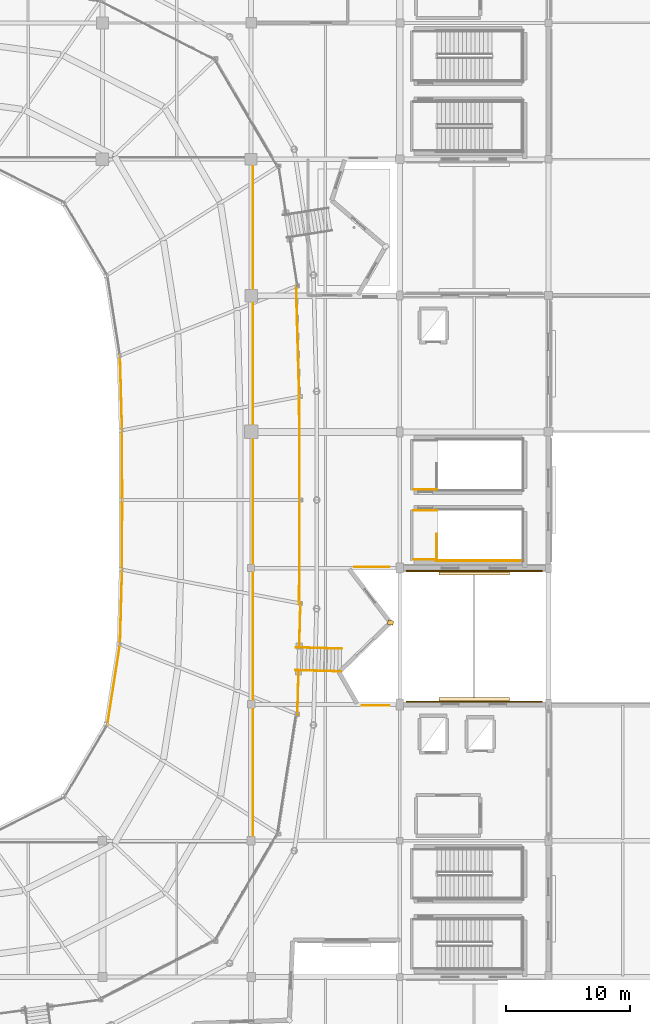
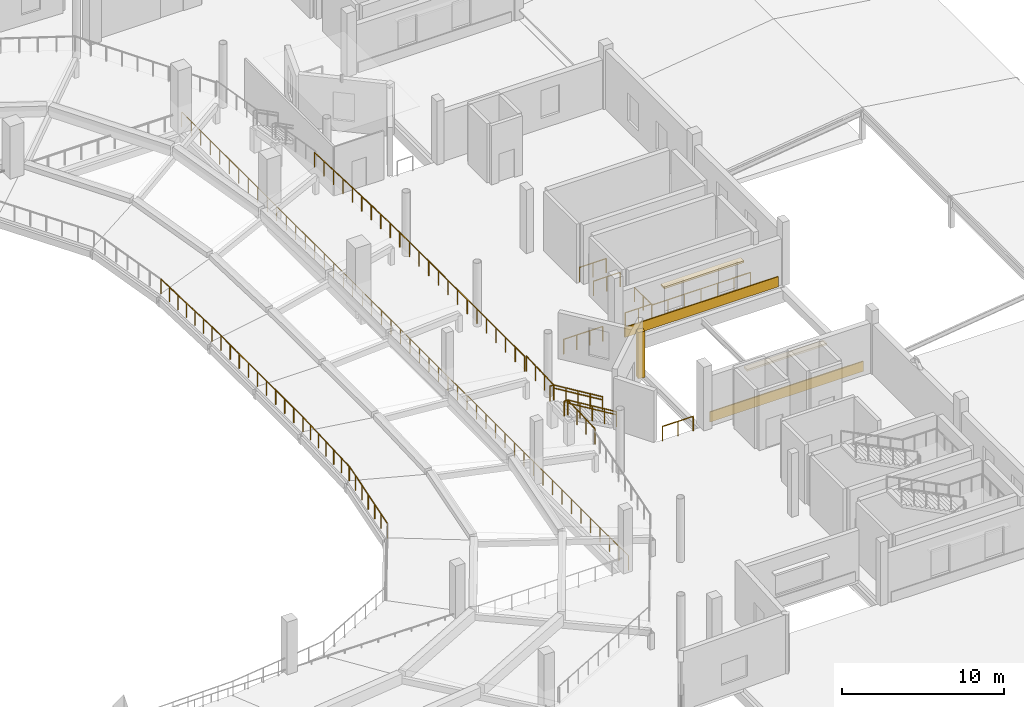
# One storey, part 74 of 77: 22 railings, 5 coverings.
"""IFC4 building model written with IfcOpenShell, lengths in metres."""

from ifc_helpers import new_model, si_unit, direction, frame, origin, origin_2d, place, context, subcontext, project, spatial, rectangle, circle, extrude, material, layer, layer_set, type_object, element, save


model = new_model("IFC4")

# Units and contexts
model_context = context("Model", 3, precision=1e-05, world=origin(), true_north=direction((0.0, 1.0)))
body_context = subcontext(model_context, "Body", "Model", "MODEL_VIEW")
ifc_project = project(units=[si_unit("LENGTHUNIT", "METRE"), si_unit("AREAUNIT", "SQUARE_METRE"), si_unit("VOLUMEUNIT", "CUBIC_METRE"), si_unit("PLANEANGLEUNIT", "RADIAN"), si_unit("MASSUNIT", "GRAM", prefix="KILO")], contexts=[model_context])

# Site, building, storey
site_placement = place(None, origin())
site = spatial("IfcSite", under=ifc_project, at=site_placement, CompositionType="ELEMENT")
building_placement = place(site_placement, origin())
building = spatial("IfcBuilding", under=site, at=building_placement, Name="Luwafu Chhajja Arena", CompositionType="ELEMENT")
storey_placement = place(building_placement, frame((0.0, 0.0, 14.699951171875)))
storey = spatial("IfcBuildingStorey", under=building, at=storey_placement, Name="L03", CompositionType="ELEMENT", Elevation=14.699951171875)

# Railings
ifc_material_1 = material(Name="Stainless steel balustrade", Category="steel")
railing_type_1 = type_object("IfcRailingType", Name="Atrium Void Glazed Balustrade 1150", PredefinedType="BALUSTRADE", material=ifc_material_1)
railing_1_placement = place(storey_placement, frame((147.31787109375, 37.500244140625, 0.0)))
element("IfcRailing", 1, at=railing_1_placement, inside=storey, type_object=railing_type_1, Name="L03 Vomitory VM-16 Guard L", PredefinedType="BALUSTRADE", context=body_context, shape_type="SweptSolid", body=[
    extrude(circle(Radius=0.02392578125, at=origin_2d()), frame((0.0, 0.0, 1.1259765625), z_axis=(-0.860243960255, 0.02388885962, 0.50932273779), x_axis=(-0.027759164743, -0.999614640135, 0.0)), (0.0, 0.0, 1.0), 3.98583984375),
    extrude(circle(Radius=0.02392578125, at=origin_2d()), frame((-3.4287109375, 0.09521484375, 3.15576171875), z_axis=(-0.999625638765, 0.027360232537, 0.0), x_axis=(-0.027360232537, -0.999625638765, 0.0)), (0.0, 0.0, 1.0), 0.249755859375),
    extrude(circle(Radius=0.02099609375, at=origin_2d()), origin(), (0.0, 0.0, 1.0), 1.101806640625),
    extrude(circle(Radius=0.02099609375, at=origin_2d()), frame((-0.857177734375, 0.02392578125, 0.507568359375)), (0.0, 0.0, 1.0), 1.101806640625),
    extrude(circle(Radius=0.02099609375, at=origin_2d()), frame((-1.71435546875, 0.047607421875, 1.01513671875)), (0.0, 0.0, 1.0), 1.101806640625),
    extrude(circle(Radius=0.02099609375, at=origin_2d()), frame((-2.571533203125, 0.0712890625, 1.5224609375)), (0.0, 0.0, 1.0), 1.101806640625),
    extrude(circle(Radius=0.02099609375, at=origin_2d()), frame((-3.4287109375, 0.09521484375, 2.030029296875)), (0.0, 0.0, 1.0), 1.101806640625),
    extrude(circle(Radius=0.02099609375, at=origin_2d()), frame((-3.678466796875, 0.10205078125, 2.030029296875)), (0.0, 0.0, 1.0), 1.101806640625),
])
railing_2_placement = place(storey_placement, frame((147.266845703125, 35.660888671875, 0.0)))
element("IfcRailing", 2, at=railing_2_placement, inside=storey, type_object=railing_type_1, Name="L03 Vomitory VM-16 Guard R", PredefinedType="BALUSTRADE", context=body_context, shape_type="SweptSolid", body=[
    extrude(circle(Radius=0.02392578125, at=origin_2d()), frame((0.0, 0.0, 1.1259765625), z_axis=(-0.860243960255, 0.02388885962, 0.50932273779), x_axis=(-0.027759164743, -0.999614640135, 0.0)), (0.0, 0.0, 1.0), 3.98583984375),
    extrude(circle(Radius=0.02392578125, at=origin_2d()), frame((-3.4287109375, 0.09521484375, 3.15576171875), z_axis=(-0.999598437567, 0.0283366126, 0.0), x_axis=(-0.0283366126, -0.999598437567, 0.0)), (0.0, 0.0, 1.0), 0.249755859375),
    extrude(circle(Radius=0.02099609375, at=origin_2d()), origin(), (0.0, 0.0, 1.0), 1.101806640625),
    extrude(circle(Radius=0.02099609375, at=origin_2d()), frame((-0.857177734375, 0.02392578125, 0.507568359375)), (0.0, 0.0, 1.0), 1.101806640625),
    extrude(circle(Radius=0.02099609375, at=origin_2d()), frame((-1.71435546875, 0.047607421875, 1.01513671875)), (0.0, 0.0, 1.0), 1.101806640625),
    extrude(circle(Radius=0.02099609375, at=origin_2d()), frame((-2.571533203125, 0.0712890625, 1.5224609375)), (0.0, 0.0, 1.0), 1.101806640625),
    extrude(circle(Radius=0.02099609375, at=origin_2d()), frame((-3.4287109375, 0.09521484375, 2.030029296875)), (0.0, 0.0, 1.0), 1.101806640625),
    extrude(circle(Radius=0.02099609375, at=origin_2d()), frame((-3.678466796875, 0.102294921875, 2.030029296875)), (0.0, 0.0, 1.0), 1.101806640625),
])
for number, where, name in (
    (3, (143.98779296875, 41.14794921875, 2.030029296875), "L03 Vomitory VM-16 Wing Guard L"),
    (4, (143.838134765625, 35.756103515625, 2.030029296875), "L03 Vomitory VM-16 Wing Guard R"),
):
    element("IfcRailing", number, at=place(storey_placement, frame(where)), inside=storey, type_object=railing_type_1, Name=name, PredefinedType="BALUSTRADE", context=body_context, shape_type="SweptSolid", body=[
        extrude(circle(Radius=0.02392578125, at=origin_2d()), frame((0.0, 0.0, 1.1259765625), z_axis=(-0.027753719723, -0.999614791328, 0.0), x_axis=(0.999614791328, -0.027753719723, 0.0)), (0.0, 0.0, 1.0), 3.553955078125),
        extrude(circle(Radius=0.02099609375, at=origin_2d()), origin(), (0.0, 0.0, 1.0), 1.101806640625),
        extrude(circle(Radius=0.02099609375, at=origin_2d()), frame((-0.032958984375, -1.18408203125, 0.0)), (0.0, 0.0, 1.0), 1.101806640625),
        extrude(circle(Radius=0.02099609375, at=origin_2d()), frame((-0.065673828125, -2.368408203125, 0.0)), (0.0, 0.0, 1.0), 1.101806640625),
        extrude(circle(Radius=0.02099609375, at=origin_2d()), frame((-0.0986328125, -3.552490234375, 0.0)), (0.0, 0.0, 1.0), 1.101806640625),
    ])

# Coverings
ifc_material_2 = material(Name="Red laterite sandstone cladding", Category="masonry")
ifc_layer = layer(ifc_material_2, 0.074951171875, Name="Red laterite sandstone cladding")
ifc_layer_set = layer_set([ifc_layer], Name="Red laterite sandstone cladding")
covering_type = type_object("IfcCoveringType", Name="Dressed Red-Laterite Sandstone Cladding", PredefinedType="CLADDING", material=ifc_layer_set)
covering_1_placement = place(storey_placement, frame((151.249755859375, 39.603759765625, 0.0), z_axis=(0.0, 0.0, 1.0), x_axis=(0.982532090849, -0.186093230539, 0.0)))
element("IfcCovering", 5, at=covering_1_placement, inside=storey, type_object=covering_type, Name="L03 Pleated Bowl Sandstone Ridge Fin 32", PredefinedType="CLADDING", context=body_context, shape_type="SweptSolid", body=[
    extrude(rectangle(XDim=0.4599609375, YDim=0.360107421875, at=origin_2d()), origin(), (0.0, 0.0, 1.0), 3.489990234375),
])
covering_2_placement = place(storey_placement, frame((158.0, 33.23193359375, 0.0), z_axis=(0.0, 0.0, 1.0), x_axis=(1.0, 0.0, 0.0)))
element("IfcCovering", 6, at=covering_2_placement, inside=storey, type_object=covering_type, Name="L03 Red-Laterite Sandstone Plinth Cladding 094", PredefinedType="CLADDING", context=body_context, shape_type="SweptSolid", body=[
    extrude(rectangle(XDim=10.9599609375, YDim=0.0849609375, at=origin_2d()), origin(), (0.0, 0.0, 1.0), 0.760009765625),
])
covering_3_placement = place(storey_placement, frame((158.0, 33.360107421875, 2.93017578125), z_axis=(0.0, 0.0, 1.0), x_axis=(1.0, 0.0, 0.0)))
element("IfcCovering", 7, at=covering_3_placement, inside=storey, type_object=covering_type, Name="L03 Mughal Sandstone Window Chhajja Hood 0088", PredefinedType="CLADDING", context=body_context, shape_type="SweptSolid", body=[
    extrude(rectangle(XDim=5.703369140625, YDim=0.419921875, at=origin_2d()), origin(), (0.0, 0.0, 1.0), 0.139892578125),
])
covering_4_placement = place(storey_placement, frame((158.0, 43.76806640625, 0.0), z_axis=(0.0, 0.0, 1.0), x_axis=(1.0, 0.0, 0.0)))
element("IfcCovering", 8, at=covering_4_placement, inside=storey, type_object=covering_type, Name="L03 Red-Laterite Sandstone Plinth Cladding 096", PredefinedType="CLADDING", context=body_context, shape_type="SweptSolid", body=[
    extrude(rectangle(XDim=10.9599609375, YDim=0.0849609375, at=origin_2d()), origin(), (0.0, 0.0, 1.0), 0.760009765625),
])
covering_5_placement = place(storey_placement, frame((158.0, 43.639892578125, 2.93017578125), z_axis=(0.0, 0.0, 1.0), x_axis=(1.0, 0.0, 0.0)))
element("IfcCovering", 9, at=covering_5_placement, inside=storey, type_object=covering_type, Name="L03 Mughal Sandstone Window Chhajja Hood 0089", PredefinedType="CLADDING", context=body_context, shape_type="SweptSolid", body=[
    extrude(rectangle(XDim=5.703369140625, YDim=0.419921875, at=origin_2d()), origin(), (0.0, 0.0, 1.0), 0.139892578125),
])

# Railings
railing_type_2 = type_object("IfcRailingType", Name="Seating Bowl Sightline Barrier 1100", PredefinedType="BALUSTRADE", material=ifc_material_1)
railing_3_placement = place(storey_placement, frame((140.14990234375, 21.85009765625, 0.0)))
element("IfcRailing", 10, at=railing_3_placement, inside=storey, type_object=railing_type_2, Name="L03 Bowl Rim Guard 0037", PredefinedType="BALUSTRADE", context=body_context, shape_type="SweptSolid", body=[
    extrude(circle(Radius=0.02392578125, at=origin_2d()), frame((0.0, 0.0, 1.09619140625), z_axis=(0.0, 1.0, 0.0), x_axis=(-1.0, 0.0, 0.0)), (0.0, 0.0, 1.0), 55.2998046875),
    extrude(circle(Radius=0.02099609375, at=origin_2d()), origin(), (0.0, 0.0, 1.0), 1.072021484375),
    extrude(circle(Radius=0.02099609375, at=origin_2d()), frame((0.0, 1.176513671875, 0.0)), (0.0, 0.0, 1.0), 1.072021484375),
    extrude(circle(Radius=0.02099609375, at=origin_2d()), frame((0.0, 2.353271484375, 0.0)), (0.0, 0.0, 1.0), 1.072021484375),
    extrude(circle(Radius=0.02099609375, at=origin_2d()), frame((0.0, 3.52978515625, 0.0)), (0.0, 0.0, 1.0), 1.072021484375),
    extrude(circle(Radius=0.02099609375, at=origin_2d()), frame((0.0, 4.706298828125, 0.0)), (0.0, 0.0, 1.0), 1.072021484375),
    extrude(circle(Radius=0.02099609375, at=origin_2d()), frame((0.0, 5.883056640625, 0.0)), (0.0, 0.0, 1.0), 1.072021484375),
    extrude(circle(Radius=0.02099609375, at=origin_2d()), frame((0.0, 7.0595703125, 0.0)), (0.0, 0.0, 1.0), 1.072021484375),
    extrude(circle(Radius=0.02099609375, at=origin_2d()), frame((0.0, 8.236083984375, 0.0)), (0.0, 0.0, 1.0), 1.072021484375),
    extrude(circle(Radius=0.02099609375, at=origin_2d()), frame((0.0, 9.412841796875, 0.0)), (0.0, 0.0, 1.0), 1.072021484375),
    extrude(circle(Radius=0.02099609375, at=origin_2d()), frame((0.0, 10.58935546875, 0.0)), (0.0, 0.0, 1.0), 1.072021484375),
    extrude(circle(Radius=0.02099609375, at=origin_2d()), frame((0.0, 11.765869140625, 0.0)), (0.0, 0.0, 1.0), 1.072021484375),
    extrude(circle(Radius=0.02099609375, at=origin_2d()), frame((0.0, 12.942626953125, 0.0)), (0.0, 0.0, 1.0), 1.072021484375),
    extrude(circle(Radius=0.02099609375, at=origin_2d()), frame((0.0, 14.119140625, 0.0)), (0.0, 0.0, 1.0), 1.072021484375),
    extrude(circle(Radius=0.02099609375, at=origin_2d()), frame((0.0, 15.295654296875, 0.0)), (0.0, 0.0, 1.0), 1.072021484375),
    extrude(circle(Radius=0.02099609375, at=origin_2d()), frame((0.0, 16.47216796875, 0.0)), (0.0, 0.0, 1.0), 1.072021484375),
    extrude(circle(Radius=0.02099609375, at=origin_2d()), frame((0.0, 17.64892578125, 0.0)), (0.0, 0.0, 1.0), 1.072021484375),
    extrude(circle(Radius=0.02099609375, at=origin_2d()), frame((0.0, 18.825439453125, 0.0)), (0.0, 0.0, 1.0), 1.072021484375),
    extrude(circle(Radius=0.02099609375, at=origin_2d()), frame((0.0, 20.001953125, 0.0)), (0.0, 0.0, 1.0), 1.072021484375),
    extrude(circle(Radius=0.02099609375, at=origin_2d()), frame((0.0, 21.1787109375, 0.0)), (0.0, 0.0, 1.0), 1.072021484375),
    extrude(circle(Radius=0.02099609375, at=origin_2d()), frame((0.0, 22.355224609375, 0.0)), (0.0, 0.0, 1.0), 1.072021484375),
    extrude(circle(Radius=0.02099609375, at=origin_2d()), frame((0.0, 23.53173828125, 0.0)), (0.0, 0.0, 1.0), 1.072021484375),
    extrude(circle(Radius=0.02099609375, at=origin_2d()), frame((0.0, 24.70849609375, 0.0)), (0.0, 0.0, 1.0), 1.072021484375),
    extrude(circle(Radius=0.02099609375, at=origin_2d()), frame((0.0, 25.885009765625, 0.0)), (0.0, 0.0, 1.0), 1.072021484375),
    extrude(circle(Radius=0.02099609375, at=origin_2d()), frame((0.0, 27.0615234375, 0.0)), (0.0, 0.0, 1.0), 1.072021484375),
    extrude(circle(Radius=0.02099609375, at=origin_2d()), frame((0.0, 28.23828125, 0.0)), (0.0, 0.0, 1.0), 1.072021484375),
    extrude(circle(Radius=0.02099609375, at=origin_2d()), frame((0.0, 29.414794921875, 0.0)), (0.0, 0.0, 1.0), 1.072021484375),
    extrude(circle(Radius=0.02099609375, at=origin_2d()), frame((0.0, 30.59130859375, 0.0)), (0.0, 0.0, 1.0), 1.072021484375),
    extrude(circle(Radius=0.02099609375, at=origin_2d()), frame((0.0, 31.76806640625, 0.0)), (0.0, 0.0, 1.0), 1.072021484375),
    extrude(circle(Radius=0.02099609375, at=origin_2d()), frame((0.0, 32.944580078125, 0.0)), (0.0, 0.0, 1.0), 1.072021484375),
    extrude(circle(Radius=0.02099609375, at=origin_2d()), frame((0.0, 34.12109375, 0.0)), (0.0, 0.0, 1.0), 1.072021484375),
    extrude(circle(Radius=0.02099609375, at=origin_2d()), frame((0.0, 35.2978515625, 0.0)), (0.0, 0.0, 1.0), 1.072021484375),
    extrude(circle(Radius=0.02099609375, at=origin_2d()), frame((0.0, 36.474365234375, 0.0)), (0.0, 0.0, 1.0), 1.072021484375),
    extrude(circle(Radius=0.02099609375, at=origin_2d()), frame((0.0, 37.65087890625, 0.0)), (0.0, 0.0, 1.0), 1.072021484375),
    extrude(circle(Radius=0.02099609375, at=origin_2d()), frame((0.0, 38.82763671875, 0.0)), (0.0, 0.0, 1.0), 1.072021484375),
    extrude(circle(Radius=0.02099609375, at=origin_2d()), frame((0.0, 40.004150390625, 0.0)), (0.0, 0.0, 1.0), 1.072021484375),
    extrude(circle(Radius=0.02099609375, at=origin_2d()), frame((0.0, 41.1806640625, 0.0)), (0.0, 0.0, 1.0), 1.072021484375),
    extrude(circle(Radius=0.02099609375, at=origin_2d()), frame((0.0, 42.357177734375, 0.0)), (0.0, 0.0, 1.0), 1.072021484375),
    extrude(circle(Radius=0.02099609375, at=origin_2d()), frame((0.0, 43.533935546875, 0.0)), (0.0, 0.0, 1.0), 1.072021484375),
    extrude(circle(Radius=0.02099609375, at=origin_2d()), frame((0.0, 44.71044921875, 0.0)), (0.0, 0.0, 1.0), 1.072021484375),
    extrude(circle(Radius=0.02099609375, at=origin_2d()), frame((0.0, 45.886962890625, 0.0)), (0.0, 0.0, 1.0), 1.072021484375),
    extrude(circle(Radius=0.02099609375, at=origin_2d()), frame((0.0, 47.063720703125, 0.0)), (0.0, 0.0, 1.0), 1.072021484375),
    extrude(circle(Radius=0.02099609375, at=origin_2d()), frame((0.0, 48.240234375, 0.0)), (0.0, 0.0, 1.0), 1.072021484375),
    extrude(circle(Radius=0.02099609375, at=origin_2d()), frame((0.0, 49.416748046875, 0.0)), (0.0, 0.0, 1.0), 1.072021484375),
    extrude(circle(Radius=0.02099609375, at=origin_2d()), frame((0.0, 50.593505859375, 0.0)), (0.0, 0.0, 1.0), 1.072021484375),
    extrude(circle(Radius=0.02099609375, at=origin_2d()), frame((0.0, 51.77001953125, 0.0)), (0.0, 0.0, 1.0), 1.072021484375),
    extrude(circle(Radius=0.02099609375, at=origin_2d()), frame((0.0, 52.946533203125, 0.0)), (0.0, 0.0, 1.0), 1.072021484375),
    extrude(circle(Radius=0.02099609375, at=origin_2d()), frame((0.0, 54.123291015625, 0.0)), (0.0, 0.0, 1.0), 1.072021484375),
    extrude(circle(Radius=0.02099609375, at=origin_2d()), frame((0.0, 55.2998046875, 0.0)), (0.0, 0.0, 1.0), 1.072021484375),
])
railing_4_placement = place(storey_placement, frame((129.60009765625, 49.5, 0.830078125)))
element("IfcRailing", 11, at=railing_4_placement, inside=storey, type_object=railing_type_2, Name="L03 Upper Tier Front Barrier 0049", PredefinedType="BALUSTRADE", context=body_context, shape_type="SweptSolid", body=[
    extrude(circle(Radius=0.02392578125, at=origin_2d()), frame((0.0, 0.0, 1.09619140625), z_axis=(-0.001474988635, 0.999998912204, 0.0), x_axis=(-0.999998912204, -0.001474988635, 0.0)), (0.0, 0.0, 1.0), 5.627685546875),
    extrude(circle(Radius=0.02099609375, at=origin_2d()), origin(), (0.0, 0.0, 1.0), 1.072021484375),
    extrude(circle(Radius=0.02099609375, at=origin_2d()), frame((-0.001708984375, 1.12548828125, 0.0)), (0.0, 0.0, 1.0), 1.072021484375),
    extrude(circle(Radius=0.02099609375, at=origin_2d()), frame((-0.00341796875, 2.2509765625, 0.0)), (0.0, 0.0, 1.0), 1.072021484375),
    extrude(circle(Radius=0.02099609375, at=origin_2d()), frame((-0.0048828125, 3.376708984375, 0.0)), (0.0, 0.0, 1.0), 1.072021484375),
    extrude(circle(Radius=0.02099609375, at=origin_2d()), frame((-0.006591796875, 4.502197265625, 0.0)), (0.0, 0.0, 1.0), 1.072021484375),
    extrude(circle(Radius=0.02099609375, at=origin_2d()), frame((-0.00830078125, 5.627685546875, 0.0)), (0.0, 0.0, 1.0), 1.072021484375),
])
railing_5_placement = place(storey_placement, frame((143.89990234375, 49.5, 2.030029296875)))
element("IfcRailing", 12, at=railing_5_placement, inside=storey, type_object=railing_type_2, Name="L03 Upper Tier Rear Barrier 0051", PredefinedType="BALUSTRADE", context=body_context, shape_type="SweptSolid", body=[
    extrude(circle(Radius=0.02392578125, at=origin_2d()), frame((0.0, 0.0, 1.09619140625), z_axis=(-0.001435727666, 0.999998969343, 0.0), x_axis=(-0.999998969343, -0.001435727666, 0.0)), (0.0, 0.0, 1.0), 8.332275390625),
    extrude(circle(Radius=0.02099609375, at=origin_2d()), origin(), (0.0, 0.0, 1.0), 1.072021484375),
    extrude(circle(Radius=0.02099609375, at=origin_2d()), frame((-0.001708984375, 1.1904296875, 0.0)), (0.0, 0.0, 1.0), 1.072021484375),
    extrude(circle(Radius=0.02099609375, at=origin_2d()), frame((-0.00341796875, 2.380615234375, 0.0)), (0.0, 0.0, 1.0), 1.072021484375),
    extrude(circle(Radius=0.02099609375, at=origin_2d()), frame((-0.005126953125, 3.571044921875, 0.0)), (0.0, 0.0, 1.0), 1.072021484375),
    extrude(circle(Radius=0.02099609375, at=origin_2d()), frame((-0.0068359375, 4.76123046875, 0.0)), (0.0, 0.0, 1.0), 1.072021484375),
    extrude(circle(Radius=0.02099609375, at=origin_2d()), frame((-0.008544921875, 5.95166015625, 0.0)), (0.0, 0.0, 1.0), 1.072021484375),
    extrude(circle(Radius=0.02099609375, at=origin_2d()), frame((-0.01025390625, 7.141845703125, 0.0)), (0.0, 0.0, 1.0), 1.072021484375),
    extrude(circle(Radius=0.02099609375, at=origin_2d()), frame((-0.011962890625, 8.332275390625, 0.0)), (0.0, 0.0, 1.0), 1.072021484375),
])
railing_6_placement = place(storey_placement, frame((129.591796875, 55.127685546875, 0.830078125)))
element("IfcRailing", 13, at=railing_6_placement, inside=storey, type_object=railing_type_2, Name="L03 Upper Tier Front Barrier 0053", PredefinedType="BALUSTRADE", context=body_context, shape_type="SweptSolid", body=[
    extrude(circle(Radius=0.02392578125, at=origin_2d()), frame((0.0, 0.0, 1.09619140625), z_axis=(-0.02802220993, 0.999607300769, 0.0), x_axis=(-0.999607300769, -0.02802220993, 0.0)), (0.0, 0.0, 1.0), 6.029052734375),
    extrude(circle(Radius=0.02099609375, at=origin_2d()), origin(), (0.0, 0.0, 1.0), 1.072021484375),
    extrude(circle(Radius=0.02099609375, at=origin_2d()), frame((-0.028076171875, 1.00439453125, 0.0)), (0.0, 0.0, 1.0), 1.072021484375),
    extrude(circle(Radius=0.02099609375, at=origin_2d()), frame((-0.056396484375, 2.0087890625, 0.0)), (0.0, 0.0, 1.0), 1.072021484375),
    extrude(circle(Radius=0.02099609375, at=origin_2d()), frame((-0.08447265625, 3.01318359375, 0.0)), (0.0, 0.0, 1.0), 1.072021484375),
    extrude(circle(Radius=0.02099609375, at=origin_2d()), frame((-0.112548828125, 4.017822265625, 0.0)), (0.0, 0.0, 1.0), 1.072021484375),
    extrude(circle(Radius=0.02099609375, at=origin_2d()), frame((-0.140869140625, 5.022216796875, 0.0)), (0.0, 0.0, 1.0), 1.072021484375),
    extrude(circle(Radius=0.02099609375, at=origin_2d()), frame((-0.1689453125, 6.026611328125, 0.0)), (0.0, 0.0, 1.0), 1.072021484375),
])
railing_7_placement = place(storey_placement, frame((143.887939453125, 57.832275390625, 2.030029296875)))
element("IfcRailing", 14, at=railing_7_placement, inside=storey, type_object=railing_type_2, Name="L03 Upper Tier Rear Barrier 0055", PredefinedType="BALUSTRADE", context=body_context, shape_type="SweptSolid", body=[
    extrude(circle(Radius=0.02392578125, at=origin_2d()), frame((0.0, 0.0, 1.09619140625), z_axis=(-0.027760993985, 0.999614589336, 0.0), x_axis=(-0.999614589336, -0.027760993985, 0.0)), (0.0, 0.0, 1.0), 8.92626953125),
    extrude(circle(Radius=0.02099609375, at=origin_2d()), origin(), (0.0, 0.0, 1.0), 1.072021484375),
    extrude(circle(Radius=0.02099609375, at=origin_2d()), frame((-0.031005859375, 1.115234375, 0.0)), (0.0, 0.0, 1.0), 1.072021484375),
    extrude(circle(Radius=0.02099609375, at=origin_2d()), frame((-0.06201171875, 2.230712890625, 0.0)), (0.0, 0.0, 1.0), 1.072021484375),
    extrude(circle(Radius=0.02099609375, at=origin_2d()), frame((-0.093017578125, 3.34619140625, 0.0)), (0.0, 0.0, 1.0), 1.072021484375),
    extrude(circle(Radius=0.02099609375, at=origin_2d()), frame((-0.1240234375, 4.46142578125, 0.0)), (0.0, 0.0, 1.0), 1.072021484375),
    extrude(circle(Radius=0.02099609375, at=origin_2d()), frame((-0.15478515625, 5.57666015625, 0.0)), (0.0, 0.0, 1.0), 1.072021484375),
    extrude(circle(Radius=0.02099609375, at=origin_2d()), frame((-0.185791015625, 6.692138671875, 0.0)), (0.0, 0.0, 1.0), 1.072021484375),
    extrude(circle(Radius=0.02099609375, at=origin_2d()), frame((-0.216796875, 7.8076171875, 0.0)), (0.0, 0.0, 1.0), 1.072021484375),
    extrude(circle(Radius=0.02099609375, at=origin_2d()), frame((-0.247802734375, 8.9228515625, 0.0)), (0.0, 0.0, 1.0), 1.072021484375),
])
railing_8_placement = place(storey_placement, frame((128.39453125, 31.33544921875, 0.830078125)))
element("IfcRailing", 15, at=railing_8_placement, inside=storey, type_object=railing_type_2, Name="L03 Upper Tier Front Barrier 0151", PredefinedType="BALUSTRADE", context=body_context, shape_type="SweptSolid", body=[
    extrude(circle(Radius=0.02392578125, at=origin_2d()), frame((0.0, 0.0, 1.09619140625), z_axis=(0.156019637452, 0.987753953538, 0.0), x_axis=(-0.987753953538, 0.156019637452, 0.0)), (0.0, 0.0, 1.0), 6.591064453125),
    extrude(circle(Radius=0.02099609375, at=origin_2d()), origin(), (0.0, 0.0, 1.0), 1.072021484375),
    extrude(circle(Radius=0.02099609375, at=origin_2d()), frame((0.17138671875, 1.0849609375, 0.0)), (0.0, 0.0, 1.0), 1.072021484375),
    extrude(circle(Radius=0.02099609375, at=origin_2d()), frame((0.3427734375, 2.170166015625, 0.0)), (0.0, 0.0, 1.0), 1.072021484375),
    extrude(circle(Radius=0.02099609375, at=origin_2d()), frame((0.51416015625, 3.255126953125, 0.0)), (0.0, 0.0, 1.0), 1.072021484375),
    extrude(circle(Radius=0.02099609375, at=origin_2d()), frame((0.685546875, 4.340087890625, 0.0)), (0.0, 0.0, 1.0), 1.072021484375),
    extrude(circle(Radius=0.02099609375, at=origin_2d()), frame((0.85693359375, 5.42529296875, 0.0)), (0.0, 0.0, 1.0), 1.072021484375),
    extrude(circle(Radius=0.02099609375, at=origin_2d()), frame((1.0283203125, 6.51025390625, 0.0)), (0.0, 0.0, 1.0), 1.072021484375),
])
railing_9_placement = place(storey_placement, frame((129.4228515625, 37.845703125, 0.830078125)))
element("IfcRailing", 16, at=railing_9_placement, inside=storey, type_object=railing_type_2, Name="L03 Upper Tier Front Barrier 0155", PredefinedType="BALUSTRADE", context=body_context, shape_type="SweptSolid", body=[
    extrude(circle(Radius=0.02392578125, at=origin_2d()), frame((0.0, 0.0, 1.09619140625), z_axis=(0.02802220993, 0.999607300769, 0.0), x_axis=(-0.999607300769, 0.02802220993, 0.0)), (0.0, 0.0, 1.0), 6.029052734375),
    extrude(circle(Radius=0.02099609375, at=origin_2d()), origin(), (0.0, 0.0, 1.0), 1.072021484375),
    extrude(circle(Radius=0.02099609375, at=origin_2d()), frame((0.028076171875, 1.00439453125, 0.0)), (0.0, 0.0, 1.0), 1.072021484375),
    extrude(circle(Radius=0.02099609375, at=origin_2d()), frame((0.056396484375, 2.0087890625, 0.0)), (0.0, 0.0, 1.0), 1.072021484375),
    extrude(circle(Radius=0.02099609375, at=origin_2d()), frame((0.08447265625, 3.01318359375, 0.0)), (0.0, 0.0, 1.0), 1.072021484375),
    extrude(circle(Radius=0.02099609375, at=origin_2d()), frame((0.112548828125, 4.017822265625, 0.0)), (0.0, 0.0, 1.0), 1.072021484375),
    extrude(circle(Radius=0.02099609375, at=origin_2d()), frame((0.140869140625, 5.022216796875, 0.0)), (0.0, 0.0, 1.0), 1.072021484375),
    extrude(circle(Radius=0.02099609375, at=origin_2d()), frame((0.1689453125, 6.026611328125, 0.0)), (0.0, 0.0, 1.0), 1.072021484375),
])
railing_10_placement = place(storey_placement, frame((129.591796875, 43.872314453125, 0.830078125)))
element("IfcRailing", 17, at=railing_10_placement, inside=storey, type_object=railing_type_2, Name="L03 Upper Tier Front Barrier 0157", PredefinedType="BALUSTRADE", context=body_context, shape_type="SweptSolid", body=[
    extrude(circle(Radius=0.02392578125, at=origin_2d()), frame((0.0, 0.0, 1.09619140625), z_axis=(0.001474988635, 0.999998912204, 0.0), x_axis=(-0.999998912204, 0.001474988635, 0.0)), (0.0, 0.0, 1.0), 5.627685546875),
    extrude(circle(Radius=0.02099609375, at=origin_2d()), origin(), (0.0, 0.0, 1.0), 1.072021484375),
    extrude(circle(Radius=0.02099609375, at=origin_2d()), frame((0.001708984375, 1.12548828125, 0.0)), (0.0, 0.0, 1.0), 1.072021484375),
    extrude(circle(Radius=0.02099609375, at=origin_2d()), frame((0.00341796875, 2.2509765625, 0.0)), (0.0, 0.0, 1.0), 1.072021484375),
    extrude(circle(Radius=0.02099609375, at=origin_2d()), frame((0.0048828125, 3.376708984375, 0.0)), (0.0, 0.0, 1.0), 1.072021484375),
    extrude(circle(Radius=0.02099609375, at=origin_2d()), frame((0.006591796875, 4.502197265625, 0.0)), (0.0, 0.0, 1.0), 1.072021484375),
    extrude(circle(Radius=0.02099609375, at=origin_2d()), frame((0.00830078125, 5.627685546875, 0.0)), (0.0, 0.0, 1.0), 1.072021484375),
])
railing_11_placement = place(storey_placement, frame((143.887939453125, 41.167724609375, 2.030029296875)))
element("IfcRailing", 18, at=railing_11_placement, inside=storey, type_object=railing_type_2, Name="L03 Upper Tier Rear Barrier 0159", PredefinedType="BALUSTRADE", context=body_context, shape_type="SweptSolid", body=[
    extrude(circle(Radius=0.02392578125, at=origin_2d()), frame((0.0, 0.0, 1.09619140625), z_axis=(0.001435727666, 0.999998969343, 0.0), x_axis=(-0.999998969343, 0.001435727666, 0.0)), (0.0, 0.0, 1.0), 8.332275390625),
    extrude(circle(Radius=0.02099609375, at=origin_2d()), origin(), (0.0, 0.0, 1.0), 1.072021484375),
    extrude(circle(Radius=0.02099609375, at=origin_2d()), frame((0.001708984375, 1.1904296875, 0.0)), (0.0, 0.0, 1.0), 1.072021484375),
    extrude(circle(Radius=0.02099609375, at=origin_2d()), frame((0.00341796875, 2.380615234375, 0.0)), (0.0, 0.0, 1.0), 1.072021484375),
    extrude(circle(Radius=0.02099609375, at=origin_2d()), frame((0.005126953125, 3.571044921875, 0.0)), (0.0, 0.0, 1.0), 1.072021484375),
    extrude(circle(Radius=0.02099609375, at=origin_2d()), frame((0.0068359375, 4.76123046875, 0.0)), (0.0, 0.0, 1.0), 1.072021484375),
    extrude(circle(Radius=0.02099609375, at=origin_2d()), frame((0.008544921875, 5.95166015625, 0.0)), (0.0, 0.0, 1.0), 1.072021484375),
    extrude(circle(Radius=0.02099609375, at=origin_2d()), frame((0.01025390625, 7.141845703125, 0.0)), (0.0, 0.0, 1.0), 1.072021484375),
    extrude(circle(Radius=0.02099609375, at=origin_2d()), frame((0.011962890625, 8.332275390625, 0.0)), (0.0, 0.0, 1.0), 1.072021484375),
])
ifc_material_3 = material(Name="Stainless steel handrail", Category="steel")
railing_type_3 = type_object("IfcRailingType", Name="Stair Pitch Wall Handrail 920", PredefinedType="HANDRAIL", material=ifc_material_3)
for number, where, name in (
    (19, (147.31787109375, 37.500244140625, 0.0), "L03 Vomitory VM-16 Handrail L"),
    (20, (147.266845703125, 35.660888671875, 0.0), "L03 Vomitory VM-16 Handrail R"),
):
    element("IfcRailing", number, at=place(storey_placement, frame(where)), inside=storey, type_object=railing_type_3, Name=name, PredefinedType="HANDRAIL", context=body_context, shape_type="SweptSolid", body=[
        extrude(circle(Radius=0.02392578125, at=origin_2d()), frame((0.0, 0.0, 0.89599609375), z_axis=(-0.860243960255, 0.02388885962, 0.50932273779), x_axis=(-0.027759164743, -0.999614640135, 0.0)), (0.0, 0.0, 1.0), 3.98583984375),
        extrude(circle(Radius=0.02099609375, at=origin_2d()), origin(), (0.0, 0.0, 1.0), 0.871826171875),
        extrude(circle(Radius=0.02099609375, at=origin_2d()), frame((-0.857177734375, 0.02392578125, 0.507568359375)), (0.0, 0.0, 1.0), 0.871826171875),
        extrude(circle(Radius=0.02099609375, at=origin_2d()), frame((-1.71435546875, 0.047607421875, 1.01513671875)), (0.0, 0.0, 1.0), 0.871826171875),
        extrude(circle(Radius=0.02099609375, at=origin_2d()), frame((-2.571533203125, 0.0712890625, 1.5224609375)), (0.0, 0.0, 1.0), 0.871826171875),
        extrude(circle(Radius=0.02099609375, at=origin_2d()), frame((-3.4287109375, 0.09521484375, 2.030029296875)), (0.0, 0.0, 1.0), 0.871826171875),
    ])
railing_type_4 = type_object("IfcRailingType", Name="Stair and Terrace Guard Balustrade 1100", PredefinedType="BALUSTRADE", material=ifc_material_1)
railing_12_placement = place(storey_placement, frame((154.969970703125, 44.64990234375, 0.0)))
element("IfcRailing", 21, at=railing_12_placement, inside=storey, type_object=railing_type_4, Name="L03 ST-11 top well guard 1", PredefinedType="BALUSTRADE", context=body_context, shape_type="SweptSolid", body=[
    extrude(circle(Radius=0.02392578125, at=origin_2d()), frame((0.0, 0.0, 1.076171875), z_axis=(0.0, 1.0, 0.0), x_axis=(-1.0, 0.0, 0.0)), (0.0, 0.0, 1.0), 2.1201171875),
    extrude(circle(Radius=0.02099609375, at=origin_2d()), origin(), (0.0, 0.0, 1.0), 1.052001953125),
    extrude(circle(Radius=0.02099609375, at=origin_2d()), frame((0.0, 1.06005859375, 0.0)), (0.0, 0.0, 1.0), 1.052001953125),
    extrude(circle(Radius=0.02099609375, at=origin_2d()), frame((0.0, 2.1201171875, 0.0)), (0.0, 0.0, 1.0), 1.052001953125),
])
railing_13_placement = place(storey_placement, frame((154.919921875, 44.60009765625, 0.0)))
element("IfcRailing", 22, at=railing_13_placement, inside=storey, type_object=railing_type_4, Name="L03 ST-11 top well guard 2", PredefinedType="BALUSTRADE", context=body_context, shape_type="SweptSolid", body=[
    extrude(circle(Radius=0.02392578125, at=origin_2d()), frame((0.0, 0.0, 1.076171875), z_axis=(1.0, 0.0, 0.0), x_axis=(0.0, 1.0, 0.0)), (0.0, 0.0, 1.0), 7.080078125),
    extrude(circle(Radius=0.02099609375, at=origin_2d()), origin(), (0.0, 0.0, 1.0), 1.052001953125),
    extrude(circle(Radius=0.02099609375, at=origin_2d()), frame((1.179931640625, 0.0, 0.0)), (0.0, 0.0, 1.0), 1.052001953125),
    extrude(circle(Radius=0.02099609375, at=origin_2d()), frame((2.360107421875, 0.0, 0.0)), (0.0, 0.0, 1.0), 1.052001953125),
    extrude(circle(Radius=0.02099609375, at=origin_2d()), frame((3.5400390625, 0.0, 0.0)), (0.0, 0.0, 1.0), 1.052001953125),
    extrude(circle(Radius=0.02099609375, at=origin_2d()), frame((4.719970703125, 0.0, 0.0)), (0.0, 0.0, 1.0), 1.052001953125),
    extrude(circle(Radius=0.02099609375, at=origin_2d()), frame((5.900146484375, 0.0, 0.0)), (0.0, 0.0, 1.0), 1.052001953125),
    extrude(circle(Radius=0.02099609375, at=origin_2d()), frame((7.080078125, 0.0, 0.0)), (0.0, 0.0, 1.0), 1.052001953125),
])
for number, where, name in (
    (23, (153.10009765625, 44.699951171875, 0.0), "L03 ST-11 top well guard 5"),
    (24, (153.10009765625, 48.639892578125, 0.0), "L03 ST-11 top well guard 6"),
    (25, (153.10009765625, 50.360107421875, 0.0), "L03 ST-12 top well guard 5"),
):
    element("IfcRailing", number, at=place(storey_placement, frame(where)), inside=storey, type_object=railing_type_4, Name=name, PredefinedType="BALUSTRADE", context=body_context, shape_type="SweptSolid", body=[
        extrude(circle(Radius=0.02392578125, at=origin_2d()), frame((0.0, 0.0, 1.076171875), z_axis=(1.0, 0.0, 0.0), x_axis=(0.0, 1.0, 0.0)), (0.0, 0.0, 1.0), 1.919921875),
        extrude(circle(Radius=0.02099609375, at=origin_2d()), origin(), (0.0, 0.0, 1.0), 1.052001953125),
        extrude(circle(Radius=0.02099609375, at=origin_2d()), frame((0.9599609375, 0.0, 0.0)), (0.0, 0.0, 1.0), 1.052001953125),
        extrude(circle(Radius=0.02099609375, at=origin_2d()), frame((1.919921875, 0.0, 0.0)), (0.0, 0.0, 1.0), 1.052001953125),
    ])
railing_14_placement = place(storey_placement, frame((151.14990234375, 44.10009765625, 0.0)))
element("IfcRailing", 26, at=railing_14_placement, inside=storey, type_object=railing_type_4, Name="L03 Outer Slab Edge Guard 003", PredefinedType="BALUSTRADE", context=body_context, shape_type="SweptSolid", body=[
    extrude(circle(Radius=0.02392578125, at=origin_2d()), frame((0.0, 0.0, 1.09619140625), z_axis=(-1.0, 0.0, 0.0), x_axis=(0.0, -1.0, 0.0)), (0.0, 0.0, 1.0), 2.791015625),
    extrude(circle(Radius=0.02099609375, at=origin_2d()), origin(), (0.0, 0.0, 1.0), 1.072021484375),
    extrude(circle(Radius=0.02099609375, at=origin_2d()), frame((-0.930419921875, 0.0, 0.0)), (0.0, 0.0, 1.0), 1.072021484375),
    extrude(circle(Radius=0.02099609375, at=origin_2d()), frame((-1.860595703125, 0.0, 0.0)), (0.0, 0.0, 1.0), 1.072021484375),
    extrude(circle(Radius=0.02099609375, at=origin_2d()), frame((-2.791015625, 0.0, 0.0)), (0.0, 0.0, 1.0), 1.072021484375),
])
railing_15_placement = place(storey_placement, frame((148.9619140625, 32.89990234375, 0.0)))
element("IfcRailing", 27, at=railing_15_placement, inside=storey, type_object=railing_type_4, Name="L03 Outer Slab Edge Guard 004", PredefinedType="BALUSTRADE", context=body_context, shape_type="SweptSolid", body=[
    extrude(circle(Radius=0.02392578125, at=origin_2d()), frame((0.0, 0.0, 1.09619140625), z_axis=(1.0, 0.0, 0.0), x_axis=(0.0, 1.0, 0.0)), (0.0, 0.0, 1.0), 2.18798828125),
    extrude(circle(Radius=0.02099609375, at=origin_2d()), origin(), (0.0, 0.0, 1.0), 1.072021484375),
    extrude(circle(Radius=0.02099609375, at=origin_2d()), frame((1.093994140625, 0.0, 0.0)), (0.0, 0.0, 1.0), 1.072021484375),
    extrude(circle(Radius=0.02099609375, at=origin_2d()), frame((2.18798828125, 0.0, 0.0)), (0.0, 0.0, 1.0), 1.072021484375),
])

save(model, "model.ifc")
